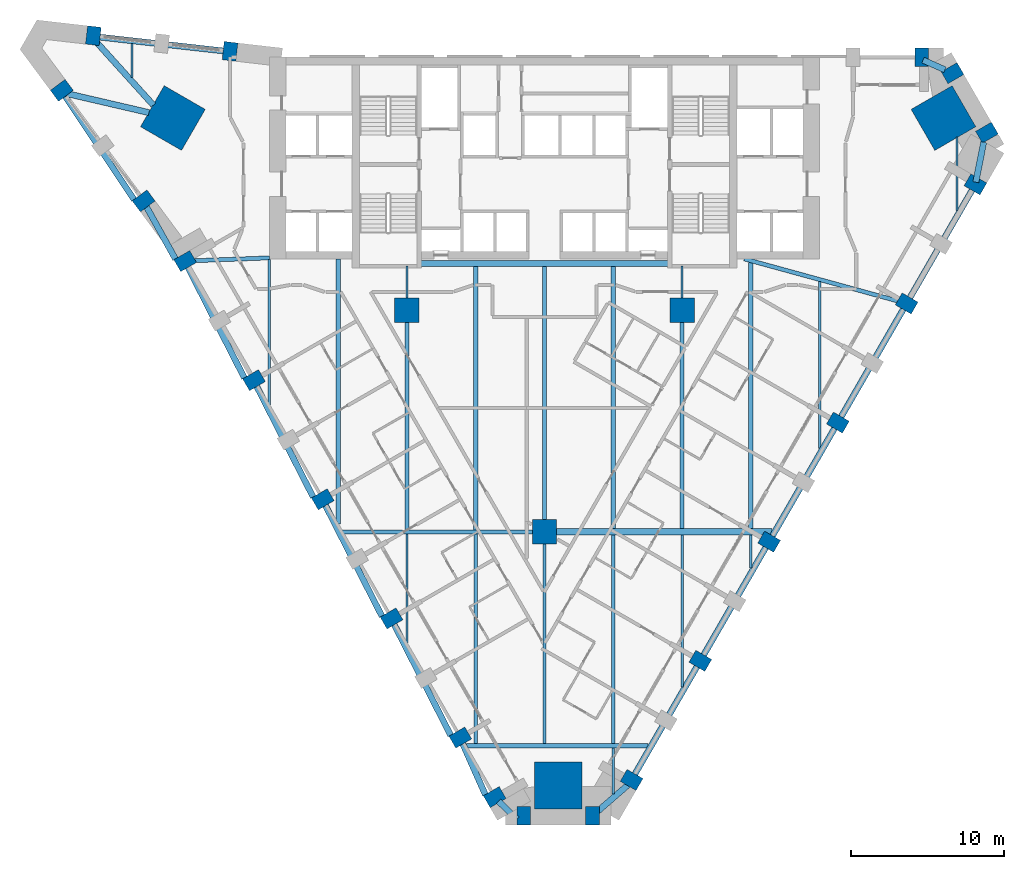
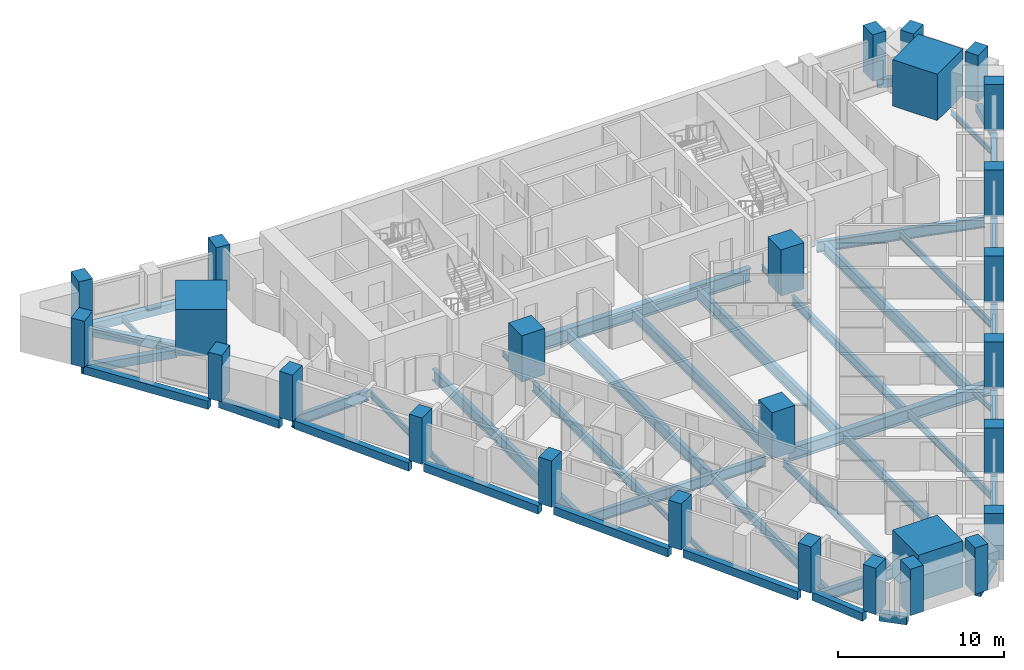
# One storey, part 1 of 12: 45 beams, 27 columns.
"""IFC4 building model written with IfcOpenShell, lengths in metres."""

from ifc_helpers import new_model, si_unit, direction, frame, origin, origin_2d, place, context, subcontext, project, spatial, rectangle, i_section, extrude, material, material_profile, profile_set, type_object, element, save


model = new_model("IFC4")

# Units and contexts
model_context = context("Model", 3, precision=1e-05, world=origin(), true_north=direction((0.0, 1.0)))
body_context = subcontext(model_context, "Body", "Model", "MODEL_VIEW")
ifc_project = project(units=[si_unit("LENGTHUNIT", "METRE"), si_unit("AREAUNIT", "SQUARE_METRE"), si_unit("VOLUMEUNIT", "CUBIC_METRE"), si_unit("PLANEANGLEUNIT", "RADIAN"), si_unit("MASSUNIT", "GRAM", prefix="KILO")], contexts=[model_context])

# Site, building, storey
site_placement = place(None, origin())
site = spatial("IfcSite", under=ifc_project, at=site_placement, CompositionType="ELEMENT")
building_placement = place(site_placement, origin())
building = spatial("IfcBuilding", under=site, at=building_placement, Name="Calabash Gate Tower", CompositionType="ELEMENT")
storey_placement = place(building_placement, frame((0.0, 0.0, 76.60009765625)))
storey = spatial("IfcBuildingStorey", under=building, at=storey_placement, Name="L15", CompositionType="ELEMENT", Elevation=76.60009765625)

# Columns
ifc_material_1 = material(Name="Concrete C80/95", Category="concrete")
ifc_material_profile_1 = material_profile(ifc_material_1, rectangle(XDim=1.60009765625, YDim=1.60009765625, at=origin_2d()))
ifc_profile_set_1 = profile_set([ifc_material_profile_1], Name="Concrete C80/95")
column_type_1 = type_object("IfcColumnType", Name="Interior column RC 1600x1600 Concrete C80/95", PredefinedType="COLUMN", material=ifc_profile_set_1)
for number, where, z_axis, x_axis, name in (
    (1, (-9.0, 2.5, 0.0), (0.0, 0.0, 1.0), (1.0, 0.0, 0.0), "Interior column L15 I0"),
    (2, (9.0, 2.5, 0.0), (0.0, 0.0, 1.0), (1.0, 0.0, 0.0), "Interior column L15 I1"),
    (3, (0.0, -12.0, 0.0), (0.0, 0.0, 1.0), (1.0, 0.0, 0.0), "Interior column L15 I2"),
):
    element("IfcColumn", number, at=place(storey_placement, frame(where, z_axis=z_axis, x_axis=x_axis)), inside=storey, type_object=column_type_1, Name=name, PredefinedType="COLUMN", context=body_context, shape_type="SweptSolid", body=[
        extrude(rectangle(XDim=1.60009765625, YDim=1.60009765625, at=origin_2d()), origin(), (0.0, 0.0, 1.0), 3.39990234375),
    ])
ifc_material_2 = material(Name="Concrete C80/95", Category="concrete")
ifc_material_profile_2 = material_profile(ifc_material_2, rectangle(XDim=3.10009765625, YDim=3.10009765625, at=origin_2d()))
ifc_profile_set_2 = profile_set([ifc_material_profile_2], Name="Concrete C80/95")
column_type_2 = type_object("IfcColumnType", Name="Mega column RC 3100x3100 Concrete C80/95", PredefinedType="COLUMN", material=ifc_profile_set_2)
for number, where, z_axis, x_axis, name in (
    (4, (-24.31689453125, 15.072998046875, 0.0), (0.0, 0.0, 1.0), (0.866025412511, -0.499999984885, 0.0), "Mega column L15 NW"),
    (5, (26.10693359375, 15.072998046875, 0.0), (0.0, 0.0, 1.0), (-0.866025447418, -0.499999924425, 0.0), "Mega column L15 NE"),
    (6, (0.89697265625, -28.595947265625, 0.0), (0.0, 0.0, 1.0), (0.0, 1.0, 0.0), "Mega column L15 S"),
):
    element("IfcColumn", number, at=place(storey_placement, frame(where, z_axis=z_axis, x_axis=x_axis)), inside=storey, type_object=column_type_2, Name=name, PredefinedType="COLUMN", context=body_context, shape_type="SweptSolid", body=[
        extrude(rectangle(XDim=3.10009765625, YDim=3.10009765625, at=origin_2d()), origin(), (0.0, 0.0, 1.0), 3.39990234375),
    ])
ifc_material_3 = material(Name="Concrete C70/85", Category="concrete")
ifc_material_profile_3 = material_profile(ifc_material_3, rectangle(XDim=0.89990234375, YDim=1.199951171875, at=origin_2d()))
ifc_profile_set_3 = profile_set([ifc_material_profile_3], Name="Concrete C70/85")
column_type_3 = type_object("IfcColumnType", Name="Perimeter column RC 900x1200 Concrete C70/85", PredefinedType="COLUMN", material=ifc_profile_set_3)
for number, where, z_axis, x_axis, name in (
    (7, (-23.509033203125, 5.714111328125, 0.0), (0.0, 0.0, 1.0), (0.5, -0.866025403784, 0.0), "Perimeter column L15 P00"),
    (8, (-19.009033203125, -2.080078125, 0.0), (0.0, 0.0, 1.0), (0.5, -0.866025403784, 0.0), "Perimeter column L15 P01"),
    (9, (-14.509033203125, -9.8740234375, 0.0), (0.0, 0.0, 1.0), (0.5, -0.866025403784, 0.0), "Perimeter column L15 P02"),
    (10, (-10.009033203125, -17.6689453125, 0.0), (0.0, 0.0, 1.0), (0.5, -0.866025403784, 0.0), "Perimeter column L15 P03"),
    (11, (-5.509033203125, -25.462890625, 0.0), (0.0, 0.0, 1.0), (0.5, -0.866025403784, 0.0), "Perimeter column L15 P04"),
    (12, (-3.259033203125, -29.360107421875, 0.0), (0.0, 0.0, 1.0), (0.5, -0.866025403784, 0.0), "Perimeter column L15 P05"),
    (13, (-1.35302734375, -30.573974609375, 0.0), (0.0, 0.0, 1.0), (1.0, 0.0, 0.0), "Perimeter column L15 P06"),
    (14, (3.14697265625, -30.573974609375, 0.0), (0.0, 0.0, 1.0), (1.0, 0.0, 0.0), "Perimeter column L15 P07"),
    (15, (5.697021484375, -28.237060546875, 0.0), (0.0, 0.0, 1.0), (0.5, 0.866025403784, 0.0), "Perimeter column L15 P08"),
    (16, (10.197021484375, -20.443115234375, 0.0), (0.0, 0.0, 1.0), (0.5, 0.866025403784, 0.0), "Perimeter column L15 P09"),
    (17, (14.697021484375, -12.64794921875, 0.0), (0.0, 0.0, 1.0), (0.5, 0.866025403784, 0.0), "Perimeter column L15 P10"),
    (18, (19.197021484375, -4.85400390625, 0.0), (0.0, 0.0, 1.0), (0.5, 0.866025403784, 0.0), "Perimeter column L15 P11"),
    (19, (23.697021484375, 2.93994140625, 0.0), (0.0, 0.0, 1.0), (0.5, 0.866025403784, 0.0), "Perimeter column L15 P12"),
    (20, (28.197021484375, 10.73388671875, 0.0), (0.0, 0.0, 1.0), (0.5, 0.866025403784, 0.0), "Perimeter column L15 P13"),
    (21, (28.947021484375, 14.113037109375, 0.0), (0.0, 0.0, 1.0), (-0.5, 0.866025403784, 0.0), "Perimeter column L15 P14"),
    (22, (26.697021484375, 18.010986328125, 0.0), (0.0, 0.0, 1.0), (-0.5, 0.866025403784, 0.0), "Perimeter column L15 P15"),
    (23, (24.69189453125, 19.052978515625, 0.0), (0.0, 0.0, 1.0), (-1.0, 0.0, 0.0), "Perimeter column L15 P16"),
    (24, (-20.576904296875, 19.43798828125, 0.0), (0.0, 0.0, 1.0), (-0.993506319736, 0.113776942504, 0.0), "Perimeter column L15 P17"),
    (25, (-29.51904296875, 20.4619140625, 0.0), (0.0, 0.0, 1.0), (-0.993506319736, 0.113776942504, 0.0), "Perimeter column L15 P18"),
    (26, (-31.5830078125, 16.883056640625, 0.0), (0.0, 0.0, 1.0), (0.595286896465, -0.80351323007, 0.0), "Perimeter column L15 P19"),
    (27, (-26.22802734375, 9.65087890625, 0.0), (0.0, 0.0, 1.0), (0.595286896465, -0.80351323007, 0.0), "Perimeter column L15 P20"),
):
    element("IfcColumn", number, at=place(storey_placement, frame(where, z_axis=z_axis, x_axis=x_axis)), inside=storey, type_object=column_type_3, Name=name, PredefinedType="COLUMN", context=body_context, shape_type="SweptSolid", body=[
        extrude(rectangle(XDim=0.89990234375, YDim=1.199951171875, at=origin_2d()), origin(), (0.0, 0.0, 1.0), 3.39990234375),
    ])

# Beams
ifc_material_4 = material(Name="Concrete C60/75", Category="concrete")
ifc_material_profile_4 = material_profile(ifc_material_4, rectangle(XDim=0.39990234375, YDim=0.60009765625, at=origin_2d()))
ifc_profile_set_4 = profile_set([ifc_material_profile_4], Name="Concrete C60/75")
beam_type_1 = type_object("IfcBeamType", Name="Edge beam RC 400x600 Concrete C60/75", PredefinedType="BEAM", material=ifc_profile_set_4)
for number, where, z_axis, x_axis, name in (
    (28, (-18.864013671875, -2.4208984375, -0.47021484375), (0.454360539812, -0.890817882545, 0.0), (0.890817882545, 0.454360539812, 0.0), "Edge beam L15 1"),
    (29, (-14.364013671875, -10.216064453125, -0.47021484375), (0.454360539812, -0.890817882545, 0.0), (0.890817882545, 0.454360539812, 0.0), "Edge beam L15 2"),
    (30, (-9.864013671875, -18.010009765625, -0.47021484375), (0.454360539812, -0.890817882545, 0.0), (0.890817882545, 0.454360539812, 0.0), "Edge beam L15 3"),
):
    element("IfcBeam", number, at=place(storey_placement, frame(where, z_axis=z_axis, x_axis=x_axis)), inside=storey, type_object=beam_type_1, Name=name, PredefinedType="BEAM", context=body_context, shape_type="SweptSolid", body=[
        extrude(rectangle(XDim=0.39990234375, YDim=0.60009765625, at=origin_2d()), origin(), (0.0, 0.0, 1.0), 8.209228515625),
    ])
beam_1_placement = place(storey_placement, frame((-5.383056640625, -25.802978515625, -0.47021484375), z_axis=(0.406538286329, -0.913633745955, 0.0), x_axis=(0.913633745955, 0.406538286329, 0.0)))
element("IfcBeam", 31, at=beam_1_placement, inside=storey, type_object=beam_type_1, Name="Edge beam L15 4", PredefinedType="BEAM", context=body_context, shape_type="SweptSolid", body=[
    extrude(rectangle(XDim=0.39990234375, YDim=0.60009765625, at=origin_2d()), origin(), (0.0, 0.0, 1.0), 3.739013671875),
])
beam_2_placement = place(storey_placement, frame((-3.01708984375, -29.626953125, -0.47021484375), z_axis=(0.719900616521, -0.694077158774, 0.0), x_axis=(0.694077158774, 0.719900616521, 0.0)))
element("IfcBeam", 32, at=beam_2_placement, inside=storey, type_object=beam_type_1, Name="Edge beam L15 5", PredefinedType="BEAM", context=body_context, shape_type="SweptSolid", body=[
    extrude(rectangle(XDim=0.39990234375, YDim=0.60009765625, at=origin_2d()), origin(), (0.0, 0.0, 1.0), 1.70166015625),
])
beam_3_placement = place(storey_placement, frame((3.277099609375, -30.466064453125, -0.47021484375), z_axis=(0.754438433484, 0.656370817512, 0.0), x_axis=(-0.656370817512, 0.754438433484, 0.0)))
element("IfcBeam", 33, at=beam_3_placement, inside=storey, type_object=beam_type_1, Name="Edge beam L15 6", PredefinedType="BEAM", context=body_context, shape_type="SweptSolid", body=[
    extrude(rectangle(XDim=0.39990234375, YDim=0.60009765625, at=origin_2d()), origin(), (0.0, 0.0, 1.0), 2.863037109375),
])
beam_4_placement = place(storey_placement, frame((5.76611328125, -28.116943359375, -0.47021484375), z_axis=(0.500003371769, 0.866023457084, 0.0), x_axis=(-0.866023457084, 0.500003371769, 0.0)))
element("IfcBeam", 34, at=beam_4_placement, inside=storey, type_object=beam_type_1, Name="Edge beam L15 7", PredefinedType="BEAM", context=body_context, shape_type="SweptSolid", body=[
    extrude(rectangle(XDim=0.39990234375, YDim=0.60009765625, at=origin_2d()), origin(), (0.0, 0.0, 1.0), 8.42578125),
])
for number, where, z_axis, x_axis, name in (
    (35, (10.26611328125, -20.322998046875, -0.47021484375), (0.499990825162, 0.866030700815, 0.0), (-0.866030700815, 0.499990825162, 0.0), "Edge beam L15 8"),
    (36, (14.76611328125, -12.529052734375, -0.47021484375), (0.499990825162, 0.866030700815, 0.0), (-0.866030700815, 0.499990825162, 0.0), "Edge beam L15 9"),
):
    element("IfcBeam", number, at=place(storey_placement, frame(where, z_axis=z_axis, x_axis=x_axis)), inside=storey, type_object=beam_type_1, Name=name, PredefinedType="BEAM", context=body_context, shape_type="SweptSolid", body=[
        extrude(rectangle(XDim=0.39990234375, YDim=0.60009765625, at=origin_2d()), origin(), (0.0, 0.0, 1.0), 8.426025390625),
    ])
beam_5_placement = place(storey_placement, frame((19.26611328125, -4.73291015625, -0.47021484375), z_axis=(0.500103763521, 0.865965487599, 0.0), x_axis=(-0.865965487599, 0.500103763521, 0.0)))
element("IfcBeam", 37, at=beam_5_placement, inside=storey, type_object=beam_type_1, Name="Edge beam L15 10", PredefinedType="BEAM", context=body_context, shape_type="SweptSolid", body=[
    extrude(rectangle(XDim=0.39990234375, YDim=0.60009765625, at=origin_2d()), origin(), (0.0, 0.0, 1.0), 8.424072265625),
])
beam_6_placement = place(storey_placement, frame((23.76611328125, 3.06005859375, -0.47021484375), z_axis=(0.500053563446, 0.865994476706, 0.0), x_axis=(-0.865994476706, 0.500053563446, 0.0)))
element("IfcBeam", 38, at=beam_6_placement, inside=storey, type_object=beam_type_1, Name="Edge beam L15 11", PredefinedType="BEAM", context=body_context, shape_type="SweptSolid", body=[
    extrude(rectangle(XDim=0.39990234375, YDim=0.60009765625, at=origin_2d()), origin(), (0.0, 0.0, 1.0), 8.4248046875),
])
beam_7_placement = place(storey_placement, frame((28.220947265625, 10.876953125, -0.47021484375), z_axis=(0.194549660951, 0.980892669676, 0.0), x_axis=(-0.980892669676, 0.194549660951, 0.0)))
element("IfcBeam", 39, at=beam_7_placement, inside=storey, type_object=beam_type_1, Name="Edge beam L15 12", PredefinedType="BEAM", context=body_context, shape_type="SweptSolid", body=[
    extrude(rectangle(XDim=0.39990234375, YDim=0.60009765625, at=origin_2d()), origin(), (0.0, 0.0, 1.0), 2.66796875),
])
beam_8_placement = place(storey_placement, frame((26.202880859375, 18.22705078125, -0.47021484375), z_axis=(-0.913625671127, 0.406556432807, 0.0), x_axis=(-0.406556432807, -0.913625671127, 0.0)))
element("IfcBeam", 40, at=beam_8_placement, inside=storey, type_object=beam_type_1, Name="Edge beam L15 13", PredefinedType="BEAM", context=body_context, shape_type="SweptSolid", body=[
    extrude(rectangle(XDim=0.39990234375, YDim=0.60009765625, at=origin_2d()), origin(), (0.0, 0.0, 1.0), 1.571533203125),
])
beam_9_placement = place(storey_placement, frame((-21.008056640625, 19.466064453125, -0.47021484375), z_axis=(-0.993831779681, 0.110898123053, 0.0), x_axis=(-0.110898123053, -0.993831779681, 0.0)))
element("IfcBeam", 41, at=beam_9_placement, inside=storey, type_object=beam_type_1, Name="Edge beam L15 14", PredefinedType="BEAM", context=body_context, shape_type="SweptSolid", body=[
    extrude(rectangle(XDim=0.39990234375, YDim=0.60009765625, at=origin_2d()), origin(), (0.0, 0.0, 1.0), 8.72900390625),
])
beam_10_placement = place(storey_placement, frame((-29.674072265625, 20.43603515625, -0.47021484375), z_axis=(0.67040303974, -0.741997145754, 0.0), x_axis=(0.741997145754, 0.67040303974, 0.0)))
element("IfcBeam", 42, at=beam_10_placement, inside=storey, type_object=beam_type_1, Name="Edge beam L15 15", PredefinedType="BEAM", context=body_context, shape_type="SweptSolid", body=[
    extrude(rectangle(XDim=0.39990234375, YDim=0.60009765625, at=origin_2d()), origin(), (0.0, 0.0, 1.0), 6.09033203125),
])
beam_11_placement = place(storey_placement, frame((-25.881103515625, 15.427001953125, -0.47021484375), z_axis=(-0.974103552421, 0.226102342228, 0.0), x_axis=(-0.226102342228, -0.974103552421, 0.0)))
element("IfcBeam", 43, at=beam_11_placement, inside=storey, type_object=beam_type_1, Name="Edge beam L15 16", PredefinedType="BEAM", context=body_context, shape_type="SweptSolid", body=[
    extrude(rectangle(XDim=0.39990234375, YDim=0.60009765625, at=origin_2d()), origin(), (0.0, 0.0, 1.0), 5.8955078125),
])
beam_12_placement = place(storey_placement, frame((-31.56689453125, 16.81103515625, -0.47021484375), z_axis=(0.554653898701, -0.832081157494, 0.0), x_axis=(0.832081157494, 0.554653898701, 0.0)))
element("IfcBeam", 44, at=beam_12_placement, inside=storey, type_object=beam_type_1, Name="Edge beam L15 17", PredefinedType="BEAM", context=body_context, shape_type="SweptSolid", body=[
    extrude(rectangle(XDim=0.39990234375, YDim=0.60009765625, at=origin_2d()), origin(), (0.0, 0.0, 1.0), 8.5185546875),
])
beam_13_placement = place(storey_placement, frame((-26.208984375, 9.56396484375, -0.47021484375), z_axis=(0.485277183535, -0.87436036915, 0.0), x_axis=(0.87436036915, 0.485277183535, 0.0)))
element("IfcBeam", 45, at=beam_13_placement, inside=storey, type_object=beam_type_1, Name="Edge beam L15 18", PredefinedType="BEAM", context=body_context, shape_type="SweptSolid", body=[
    extrude(rectangle(XDim=0.39990234375, YDim=0.60009765625, at=origin_2d()), origin(), (0.0, 0.0, 1.0), 4.251220703125),
])
beam_14_placement = place(storey_placement, frame((-23.364013671875, 5.373046875, -0.47021484375), z_axis=(0.454360539812, -0.890817882545, 0.0), x_axis=(0.890817882545, 0.454360539812, 0.0)))
element("IfcBeam", 46, at=beam_14_placement, inside=storey, type_object=beam_type_1, Name="Edge beam L15 19", PredefinedType="BEAM", context=body_context, shape_type="SweptSolid", body=[
    extrude(rectangle(XDim=0.39990234375, YDim=0.60009765625, at=origin_2d()), origin(), (0.0, 0.0, 1.0), 8.209228515625),
])
ifc_material_5 = material(Name="Steel ASTM A992 Gr50", Category="steel")
ifc_material_profile_5 = material_profile(ifc_material_5, i_section(OverallWidth=0.1396484375, OverallDepth=0.398681640625, WebThickness=0.00634765625, FlangeThickness=0.0087890625, FilletRadius=0.01025390625, at=origin_2d()))
ifc_profile_set_5 = profile_set([ifc_material_profile_5], Name="Steel ASTM A992 Gr50")
beam_type_2 = type_object("IfcBeamType", Name="Floor beam W16x26 ASTM A992 Gr50", PredefinedType="BEAM", material=ifc_profile_set_5)
beam_15_placement = place(storey_placement, frame((-27.0, 17.741943359375, -0.369140625), z_axis=(0.0, 1.0, 0.0), x_axis=(-1.0, 0.0, 0.0)))
element("IfcBeam", 47, at=beam_15_placement, inside=storey, type_object=beam_type_2, Name="Floor beam L15 1", PredefinedType="BEAM", context=body_context, shape_type="SweptSolid", body=[
    extrude(i_section(OverallWidth=0.1396484375, OverallDepth=0.398681640625, WebThickness=0.00634765625, FlangeThickness=0.0087890625, FilletRadius=0.01025390625, at=origin_2d()), origin(), (0.0, 0.0, 1.0), 2.220947265625),
])
beam_16_placement = place(storey_placement, frame((-9.0, -19.2880859375, -0.369140625), z_axis=(0.0, 1.0, 0.0), x_axis=(-1.0, 0.0, 0.0)))
element("IfcBeam", 48, at=beam_16_placement, inside=storey, type_object=beam_type_2, Name="Floor beam L15 4", PredefinedType="BEAM", context=body_context, shape_type="SweptSolid", body=[
    extrude(i_section(OverallWidth=0.1396484375, OverallDepth=0.398681640625, WebThickness=0.00634765625, FlangeThickness=0.0087890625, FilletRadius=0.01025390625, at=origin_2d()), origin(), (0.0, 0.0, 1.0), 7.155029296875),
])
beam_17_placement = place(storey_placement, frame((-9.0, 3.300048828125, -0.369140625), z_axis=(0.0, 1.0, 0.0), x_axis=(-1.0, 0.0, 0.0)))
element("IfcBeam", 49, at=beam_17_placement, inside=storey, type_object=beam_type_2, Name="Floor beam L15 6", PredefinedType="BEAM", context=body_context, shape_type="SweptSolid", body=[
    extrude(i_section(OverallWidth=0.1396484375, OverallDepth=0.398681640625, WebThickness=0.00634765625, FlangeThickness=0.0087890625, FilletRadius=0.01025390625, at=origin_2d()), origin(), (0.0, 0.0, 1.0), 2.10302734375),
])
beam_18_placement = place(storey_placement, frame((4.5, -29.16796875, -0.369140625), z_axis=(0.0, 1.0, 0.0), x_axis=(-1.0, 0.0, 0.0)))
element("IfcBeam", 50, at=beam_18_placement, inside=storey, type_object=beam_type_2, Name="Floor beam L15 11", PredefinedType="BEAM", context=body_context, shape_type="SweptSolid", body=[
    extrude(i_section(OverallWidth=0.1396484375, OverallDepth=0.398681640625, WebThickness=0.00634765625, FlangeThickness=0.0087890625, FilletRadius=0.01025390625, at=origin_2d()), origin(), (0.0, 0.0, 1.0), 3.034912109375),
])
beam_19_placement = place(storey_placement, frame((9.0, 3.300048828125, -0.369140625), z_axis=(0.0, 1.0, 0.0), x_axis=(-1.0, 0.0, 0.0)))
element("IfcBeam", 51, at=beam_19_placement, inside=storey, type_object=beam_type_2, Name="Floor beam L15 16", PredefinedType="BEAM", context=body_context, shape_type="SweptSolid", body=[
    extrude(i_section(OverallWidth=0.1396484375, OverallDepth=0.398681640625, WebThickness=0.00634765625, FlangeThickness=0.0087890625, FilletRadius=0.01025390625, at=origin_2d()), origin(), (0.0, 0.0, 1.0), 2.10302734375),
])
beam_20_placement = place(storey_placement, frame((13.5, -14.35400390625, -0.369140625), z_axis=(0.0, 1.0, 0.0), x_axis=(-1.0, 0.0, 0.0)))
element("IfcBeam", 52, at=beam_20_placement, inside=storey, type_object=beam_type_2, Name="Floor beam L15 17", PredefinedType="BEAM", context=body_context, shape_type="SweptSolid", body=[
    extrude(i_section(OverallWidth=0.1396484375, OverallDepth=0.398681640625, WebThickness=0.00634765625, FlangeThickness=0.0087890625, FilletRadius=0.01025390625, at=origin_2d()), origin(), (0.0, 0.0, 1.0), 2.14404296875),
])
beam_21_placement = place(storey_placement, frame((27.0, 9.028076171875, -0.369140625), z_axis=(0.0, 1.0, 0.0), x_axis=(-1.0, 0.0, 0.0)))
element("IfcBeam", 53, at=beam_21_placement, inside=storey, type_object=beam_type_2, Name="Floor beam L15 20", PredefinedType="BEAM", context=body_context, shape_type="SweptSolid", body=[
    extrude(i_section(OverallWidth=0.1396484375, OverallDepth=0.398681640625, WebThickness=0.00634765625, FlangeThickness=0.0087890625, FilletRadius=0.01025390625, at=origin_2d()), origin(), (0.0, 0.0, 1.0), 4.7939453125),
])
ifc_material_6 = material(Name="Steel ASTM A992 Gr50", Category="steel")
ifc_material_profile_6 = material_profile(ifc_material_6, i_section(OverallWidth=0.15234375, OverallDepth=0.44970703125, WebThickness=0.007568359375, FlangeThickness=0.0107421875, FilletRadius=0.01025390625, at=origin_2d()))
ifc_profile_set_6 = profile_set([ifc_material_profile_6], Name="Steel ASTM A992 Gr50")
beam_type_3 = type_object("IfcBeamType", Name="Floor beam W18x35 ASTM A992 Gr50", PredefinedType="BEAM", material=ifc_profile_set_6)
beam_22_placement = place(storey_placement, frame((-18.0, -3.699951171875, -0.39306640625), z_axis=(0.0, 1.0, 0.0), x_axis=(-1.0, 0.0, 0.0)))
element("IfcBeam", 54, at=beam_22_placement, inside=storey, type_object=beam_type_3, Name="Floor beam L15 2", PredefinedType="BEAM", context=body_context, shape_type="SweptSolid", body=[
    extrude(i_section(OverallWidth=0.15234375, OverallDepth=0.44970703125, WebThickness=0.007568359375, FlangeThickness=0.0107421875, FilletRadius=0.01025390625, at=origin_2d()), origin(), (0.0, 0.0, 1.0), 9.512939453125),
])
ifc_material_7 = material(Name="Steel ASTM A992 Gr50", Category="steel")
ifc_material_profile_7 = material_profile(ifc_material_7, i_section(OverallWidth=0.166015625, OverallDepth=0.5283203125, WebThickness=0.009765625, FlangeThickness=0.013671875, FilletRadius=0.0126953125, at=origin_2d()))
ifc_profile_set_7 = profile_set([ifc_material_profile_7], Name="Steel ASTM A992 Gr50")
beam_type_4 = type_object("IfcBeamType", Name="Floor beam W21x50 ASTM A992 Gr50", PredefinedType="BEAM", material=ifc_profile_set_7)
beam_23_placement = place(storey_placement, frame((9.0, -22.14892578125, -0.43408203125), z_axis=(0.0, 1.0, 0.0), x_axis=(-1.0, 0.0, 0.0)))
element("IfcBeam", 55, at=beam_23_placement, inside=storey, type_object=beam_type_4, Name="Floor beam L15 14", PredefinedType="BEAM", context=body_context, shape_type="SweptSolid", body=[
    extrude(i_section(OverallWidth=0.166015625, OverallDepth=0.5283203125, WebThickness=0.009765625, FlangeThickness=0.013671875, FilletRadius=0.0126953125, at=origin_2d()), origin(), (0.0, 0.0, 1.0), 9.93896484375),
])
beam_24_placement = place(storey_placement, frame((18.0, -6.56005859375, -0.43408203125), z_axis=(0.0, 1.0, 0.0), x_axis=(-1.0, 0.0, 0.0)))
element("IfcBeam", 56, at=beam_24_placement, inside=storey, type_object=beam_type_4, Name="Floor beam L15 19", PredefinedType="BEAM", context=body_context, shape_type="SweptSolid", body=[
    extrude(i_section(OverallWidth=0.166015625, OverallDepth=0.5283203125, WebThickness=0.009765625, FlangeThickness=0.013671875, FilletRadius=0.0126953125, at=origin_2d()), origin(), (0.0, 0.0, 1.0), 10.948974609375),
])
ifc_material_8 = material(Name="Steel ASTM A992 Gr50", Category="steel")
ifc_material_profile_8 = material_profile(ifc_material_8, i_section(OverallWidth=0.1787109375, OverallDepth=0.60205078125, WebThickness=0.010986328125, FlangeThickness=0.014892578125, FilletRadius=0.0126953125, at=origin_2d()))
ifc_profile_set_8 = profile_set([ifc_material_profile_8], Name="Steel ASTM A992 Gr50")
beam_type_5 = type_object("IfcBeamType", Name="Floor beam W24x62 ASTM A992 Gr50", PredefinedType="BEAM", material=ifc_profile_set_8)
beam_25_placement = place(storey_placement, frame((0.0, -25.866943359375, -0.47119140625), z_axis=(0.0, 1.0, 0.0), x_axis=(-1.0, 0.0, 0.0)))
element("IfcBeam", 57, at=beam_25_placement, inside=storey, type_object=beam_type_5, Name="Floor beam L15 9", PredefinedType="BEAM", context=body_context, shape_type="SweptSolid", body=[
    extrude(i_section(OverallWidth=0.1787109375, OverallDepth=0.60205078125, WebThickness=0.010986328125, FlangeThickness=0.014892578125, FilletRadius=0.0126953125, at=origin_2d()), origin(), (0.0, 0.0, 1.0), 13.06689453125),
])
ifc_material_9 = material(Name="Steel ASTM A992 Gr50", Category="steel")
ifc_material_profile_9 = material_profile(ifc_material_9, i_section(OverallWidth=0.25390625, OverallDepth=0.67822265625, WebThickness=0.01171875, FlangeThickness=0.016357421875, FilletRadius=0.01513671875, at=origin_2d()))
ifc_profile_set_9 = profile_set([ifc_material_profile_9], Name="Steel ASTM A992 Gr50")
beam_type_6 = type_object("IfcBeamType", Name="Floor beam W27x84 ASTM A992 Gr50", PredefinedType="BEAM", material=ifc_profile_set_9)
beam_26_placement = place(storey_placement, frame((-9.0, -11.866943359375, -0.509033203125), z_axis=(0.0, 1.0, 0.0), x_axis=(-1.0, 0.0, 0.0)))
element("IfcBeam", 58, at=beam_26_placement, inside=storey, type_object=beam_type_6, Name="Floor beam L15 5", PredefinedType="BEAM", context=body_context, shape_type="SweptSolid", body=[
    extrude(i_section(OverallWidth=0.25390625, OverallDepth=0.67822265625, WebThickness=0.01171875, FlangeThickness=0.016357421875, FilletRadius=0.01513671875, at=origin_2d()), origin(), (0.0, 0.0, 1.0), 13.56689453125),
])
beam_27_placement = place(storey_placement, frame((-4.5, -25.866943359375, -0.509033203125), z_axis=(0.0, 1.0, 0.0), x_axis=(-1.0, 0.0, 0.0)))
element("IfcBeam", 59, at=beam_27_placement, inside=storey, type_object=beam_type_6, Name="Floor beam L15 7", PredefinedType="BEAM", context=body_context, shape_type="SweptSolid", body=[
    extrude(i_section(OverallWidth=0.25390625, OverallDepth=0.67822265625, WebThickness=0.01171875, FlangeThickness=0.016357421875, FilletRadius=0.01513671875, at=origin_2d()), origin(), (0.0, 0.0, 1.0), 13.73388671875),
])
beam_28_placement = place(storey_placement, frame((4.5, -25.866943359375, -0.509033203125), z_axis=(0.0, 1.0, 0.0), x_axis=(-1.0, 0.0, 0.0)))
element("IfcBeam", 60, at=beam_28_placement, inside=storey, type_object=beam_type_6, Name="Floor beam L15 12", PredefinedType="BEAM", context=body_context, shape_type="SweptSolid", body=[
    extrude(i_section(OverallWidth=0.25390625, OverallDepth=0.67822265625, WebThickness=0.01171875, FlangeThickness=0.016357421875, FilletRadius=0.01513671875, at=origin_2d()), origin(), (0.0, 0.0, 1.0), 13.656982421875),
])
beam_29_placement = place(storey_placement, frame((9.0, -11.7900390625, -0.509033203125), z_axis=(0.0, 1.0, 0.0), x_axis=(-1.0, 0.0, 0.0)))
element("IfcBeam", 61, at=beam_29_placement, inside=storey, type_object=beam_type_6, Name="Floor beam L15 15", PredefinedType="BEAM", context=body_context, shape_type="SweptSolid", body=[
    extrude(i_section(OverallWidth=0.25390625, OverallDepth=0.67822265625, WebThickness=0.01171875, FlangeThickness=0.016357421875, FilletRadius=0.01513671875, at=origin_2d()), origin(), (0.0, 0.0, 1.0), 13.489990234375),
])
ifc_material_10 = material(Name="Steel ASTM A992 Gr50", Category="steel")
ifc_material_profile_10 = material_profile(ifc_material_10, i_section(OverallWidth=0.2666015625, OverallDepth=0.7568359375, WebThickness=0.013916015625, FlangeThickness=0.019287109375, FilletRadius=0.0166015625, at=origin_2d()))
ifc_profile_set_10 = profile_set([ifc_material_profile_10], Name="Steel ASTM A992 Gr50")
beam_type_7 = type_object("IfcBeamType", Name="Floor beam W30x108 ASTM A992 Gr50", PredefinedType="BEAM", material=ifc_profile_set_10)
beam_30_placement = place(storey_placement, frame((0.0, -11.199951171875, -0.548095703125), z_axis=(0.0, 1.0, 0.0), x_axis=(-1.0, 0.0, 0.0)))
element("IfcBeam", 62, at=beam_30_placement, inside=storey, type_object=beam_type_7, Name="Floor beam L15 10", PredefinedType="BEAM", context=body_context, shape_type="SweptSolid", body=[
    extrude(i_section(OverallWidth=0.2666015625, OverallDepth=0.7568359375, WebThickness=0.013916015625, FlangeThickness=0.019287109375, FilletRadius=0.0166015625, at=origin_2d()), origin(), (0.0, 0.0, 1.0), 16.552001953125),
])
ifc_material_11 = material(Name="Steel ASTM A992 Gr50", Category="steel")
ifc_material_profile_11 = material_profile(ifc_material_11, i_section(OverallWidth=0.2919921875, OverallDepth=0.845703125, WebThickness=0.015380859375, FlangeThickness=0.0244140625, FilletRadius=0.017822265625, at=origin_2d()))
ifc_profile_set_11 = profile_set([ifc_material_profile_11], Name="Steel ASTM A992 Gr50")
beam_type_8 = type_object("IfcBeamType", Name="Floor beam W33x141 ASTM A992 Gr50", PredefinedType="BEAM", material=ifc_profile_set_11)
beam_31_placement = place(storey_placement, frame((-13.5, -11.493896484375, -0.593017578125), z_axis=(0.0, 1.0, 0.0), x_axis=(-1.0, 0.0, 0.0)))
element("IfcBeam", 63, at=beam_31_placement, inside=storey, type_object=beam_type_8, Name="Floor beam L15 3", PredefinedType="BEAM", context=body_context, shape_type="SweptSolid", body=[
    extrude(i_section(OverallWidth=0.2919921875, OverallDepth=0.845703125, WebThickness=0.015380859375, FlangeThickness=0.0244140625, FilletRadius=0.017822265625, at=origin_2d()), origin(), (0.0, 0.0, 1.0), 17.346923828125),
])
beam_32_placement = place(storey_placement, frame((-4.5, -11.866943359375, -0.593017578125), z_axis=(0.0, 1.0, 0.0), x_axis=(-1.0, 0.0, 0.0)))
element("IfcBeam", 64, at=beam_32_placement, inside=storey, type_object=beam_type_8, Name="Floor beam L15 8", PredefinedType="BEAM", context=body_context, shape_type="SweptSolid", body=[
    extrude(i_section(OverallWidth=0.2919921875, OverallDepth=0.845703125, WebThickness=0.015380859375, FlangeThickness=0.0244140625, FilletRadius=0.017822265625, at=origin_2d()), origin(), (0.0, 0.0, 1.0), 17.218994140625),
])
beam_33_placement = place(storey_placement, frame((4.5, -11.7900390625, -0.593017578125), z_axis=(0.0, 1.0, 0.0), x_axis=(-1.0, 0.0, 0.0)))
element("IfcBeam", 65, at=beam_33_placement, inside=storey, type_object=beam_type_8, Name="Floor beam L15 13", PredefinedType="BEAM", context=body_context, shape_type="SweptSolid", body=[
    extrude(i_section(OverallWidth=0.2919921875, OverallDepth=0.845703125, WebThickness=0.015380859375, FlangeThickness=0.0244140625, FilletRadius=0.017822265625, at=origin_2d()), origin(), (0.0, 0.0, 1.0), 17.14208984375),
])
beam_34_placement = place(storey_placement, frame((13.5, -11.7900390625, -0.593017578125), z_axis=(0.0, 1.0, 0.0), x_axis=(-1.0, 0.0, 0.0)))
element("IfcBeam", 66, at=beam_34_placement, inside=storey, type_object=beam_type_8, Name="Floor beam L15 18", PredefinedType="BEAM", context=body_context, shape_type="SweptSolid", body=[
    extrude(i_section(OverallWidth=0.2919921875, OverallDepth=0.845703125, WebThickness=0.015380859375, FlangeThickness=0.0244140625, FilletRadius=0.017822265625, at=origin_2d()), origin(), (0.0, 0.0, 1.0), 17.4140625),
])
ifc_material_12 = material(Name="Steel ASTM A992 Gr50", Category="steel")
ifc_material_profile_12 = material_profile(ifc_material_12, i_section(OverallWidth=0.2666015625, OverallDepth=0.77978515625, WebThickness=0.0166015625, FlangeThickness=0.030029296875, FilletRadius=0.0166015625, at=origin_2d()))
ifc_profile_set_12 = profile_set([ifc_material_profile_12], Name="Steel ASTM A992 Gr50")
beam_type_9 = type_object("IfcBeamType", Name="Girder W30x148 ASTM A992 Gr50", PredefinedType="BEAM", material=ifc_profile_set_12)
beam_35_placement = place(storey_placement, frame((-23.43310546875, 5.717041015625, -0.56005859375), z_axis=(0.999274774778, 0.038077874046, 0.0), x_axis=(-0.038077874046, 0.999274774778, 0.0)))
element("IfcBeam", 67, at=beam_35_placement, inside=storey, type_object=beam_type_9, Name="Girder L15 2", PredefinedType="BEAM", context=body_context, shape_type="SweptSolid", body=[
    extrude(i_section(OverallWidth=0.2666015625, OverallDepth=0.77978515625, WebThickness=0.0166015625, FlangeThickness=0.030029296875, FilletRadius=0.0166015625, at=origin_2d()), origin(), (0.0, 0.0, 1.0), 5.43701171875),
])
beam_36_placement = place(storey_placement, frame((23.12109375, 3.09912109375, -0.56005859375), z_axis=(-0.964327320459, 0.264712710341, 0.0), x_axis=(-0.264712710341, -0.964327320459, 0.0)))
element("IfcBeam", 68, at=beam_36_placement, inside=storey, type_object=beam_type_9, Name="Girder L15 3", PredefinedType="BEAM", context=body_context, shape_type="SweptSolid", body=[
    extrude(i_section(OverallWidth=0.2666015625, OverallDepth=0.77978515625, WebThickness=0.0166015625, FlangeThickness=0.030029296875, FilletRadius=0.0166015625, at=origin_2d()), origin(), (0.0, 0.0, 1.0), 10.421875),
])
beam_37_placement = place(storey_placement, frame((-13.251953125, -12.0, -0.56005859375), z_axis=(1.0, 0.0, 0.0), x_axis=(0.0, 1.0, 0.0)))
element("IfcBeam", 69, at=beam_37_placement, inside=storey, type_object=beam_type_9, Name="Girder L15 4", PredefinedType="BEAM", context=body_context, shape_type="SweptSolid", body=[
    extrude(i_section(OverallWidth=0.2666015625, OverallDepth=0.77978515625, WebThickness=0.0166015625, FlangeThickness=0.030029296875, FilletRadius=0.0166015625, at=origin_2d()), origin(), (0.0, 0.0, 1.0), 12.451904296875),
])
beam_38_placement = place(storey_placement, frame((-5.10888671875, -26.0, -0.56005859375), z_axis=(1.0, 0.0, 0.0), x_axis=(0.0, 1.0, 0.0)))
element("IfcBeam", 70, at=beam_38_placement, inside=storey, type_object=beam_type_9, Name="Girder L15 6", PredefinedType="BEAM", context=body_context, shape_type="SweptSolid", body=[
    extrude(i_section(OverallWidth=0.2666015625, OverallDepth=0.77978515625, WebThickness=0.0166015625, FlangeThickness=0.030029296875, FilletRadius=0.0166015625, at=origin_2d()), origin(), (0.0, 0.0, 1.0), 11.887939453125),
])
ifc_material_13 = material(Name="Steel ASTM A992 Gr50", Category="steel")
ifc_material_profile_13 = material_profile(ifc_material_13, i_section(OverallWidth=0.419189453125, OverallDepth=0.927001953125, WebThickness=0.019287109375, FlangeThickness=0.031982421875, FilletRadius=0.024169921875, at=origin_2d()))
ifc_profile_set_13 = profile_set([ifc_material_profile_13], Name="Steel ASTM A992 Gr50")
beam_type_10 = type_object("IfcBeamType", Name="Girder W36x231 ASTM A992 Gr50", PredefinedType="BEAM", material=ifc_profile_set_13)
beam_39_placement = place(storey_placement, frame((0.800048828125, -12.0, -0.634033203125), z_axis=(1.0, 0.0, 0.0), x_axis=(0.0, 1.0, 0.0)))
element("IfcBeam", 71, at=beam_39_placement, inside=storey, type_object=beam_type_10, Name="Girder L15 5", PredefinedType="BEAM", context=body_context, shape_type="SweptSolid", body=[
    extrude(i_section(OverallWidth=0.419189453125, OverallDepth=0.927001953125, WebThickness=0.019287109375, FlangeThickness=0.031982421875, FilletRadius=0.024169921875, at=origin_2d()), origin(), (0.0, 0.0, 1.0), 14.071044921875),
])
ifc_material_14 = material(Name="Steel ASTM A992 Gr50", Category="steel")
ifc_material_profile_14 = material_profile(ifc_material_14, i_section(OverallWidth=0.4013671875, OverallDepth=1.000732421875, WebThickness=0.01904296875, FlangeThickness=0.0361328125, FilletRadius=0.030029296875, at=origin_2d()))
ifc_profile_set_14 = profile_set([ifc_material_profile_14], Name="Steel ASTM A992 Gr50")
beam_type_11 = type_object("IfcBeamType", Name="Girder W40x249 ASTM A992 Gr50", PredefinedType="BEAM", material=ifc_profile_set_14)
beam_40_placement = place(storey_placement, frame((-8.25, 5.552978515625, -0.670166015625), z_axis=(1.0, 0.0, 0.0), x_axis=(0.0, 1.0, 0.0)))
element("IfcBeam", 72, at=beam_40_placement, inside=storey, type_object=beam_type_11, Name="Girder L15 1", PredefinedType="BEAM", context=body_context, shape_type="SweptSolid", body=[
    extrude(i_section(OverallWidth=0.4013671875, OverallDepth=1.000732421875, WebThickness=0.01904296875, FlangeThickness=0.0361328125, FilletRadius=0.030029296875, at=origin_2d()), origin(), (0.0, 0.0, 1.0), 16.5),
])

save(model, "model.ifc")
